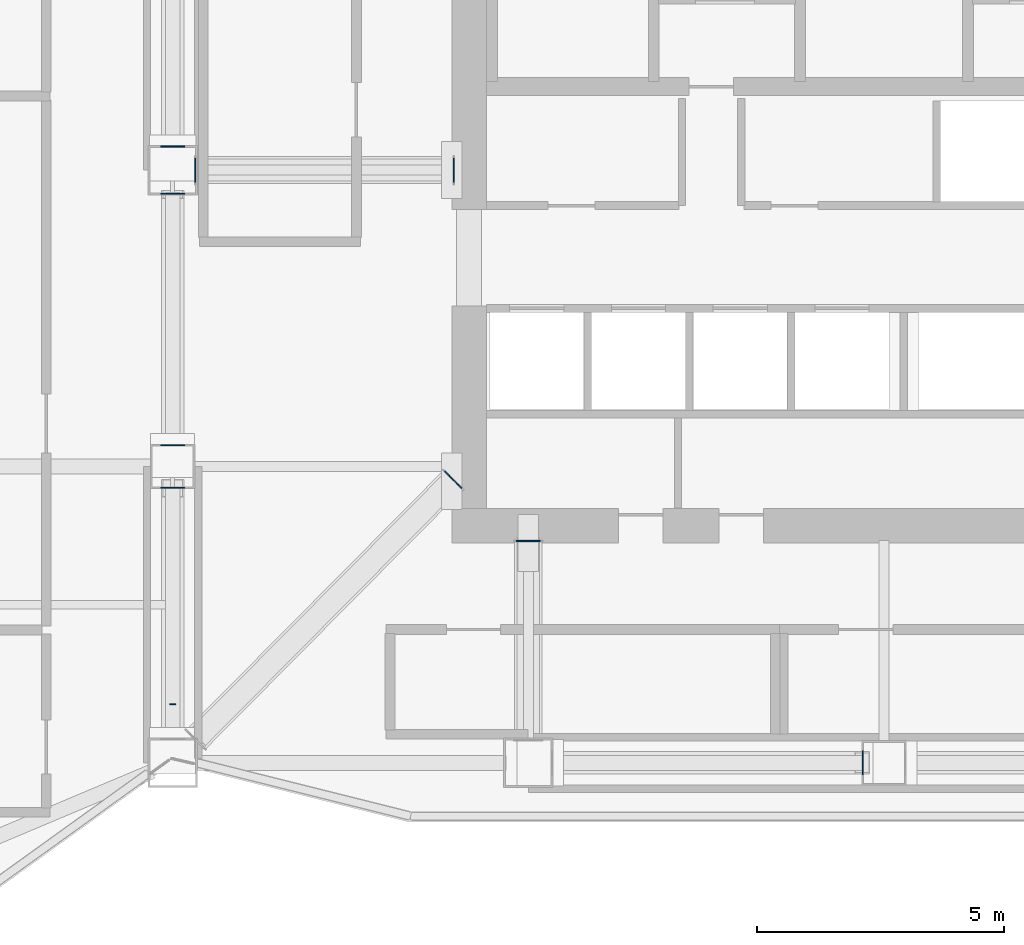
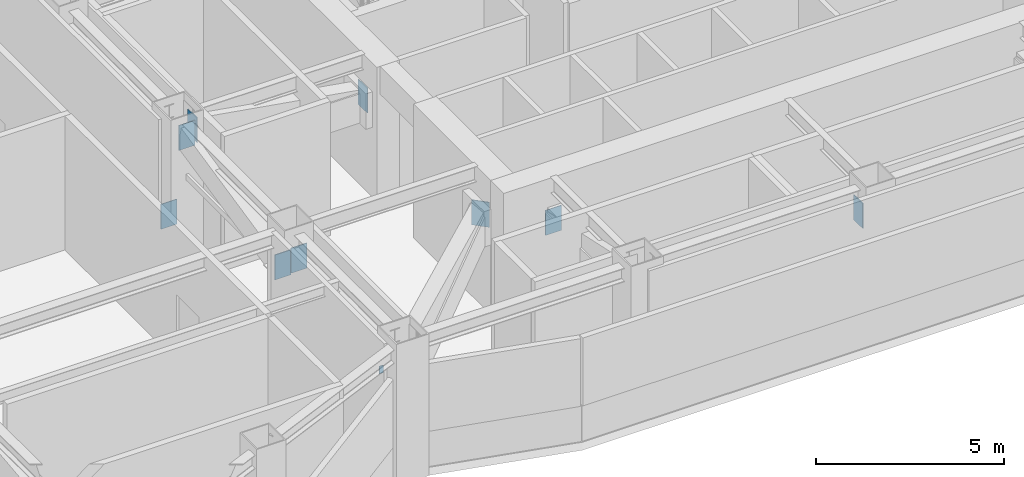
# One storey, part 9 of 24: 10 plates.
"""IFC4 building model written with IfcOpenShell, lengths in metres."""

import ifcopenshell
import ifcopenshell.guid

model = None  # the IFC model being written
_history = None  # IfcOwnerHistory: only IFC2X3 demands one
_inside = {}  # id of a spatial element -> (the spatial element, [elements in it])
_under = {}  # id of a project, library or spatial element -> (it, [spatial elements below it])
_declared = {}  # id of a project -> (the project, [libraries it declares])
_typed = {}  # id of a type object -> (the type object, [elements of that type])
_made_of = {}  # id of a material, layer set ... -> (it, [elements and type objects made of it])


def new_model(schema):
    """Start an empty IFC model of exactly this schema.

    Asked for "IFC4X3", IfcOpenShell would pick the latest addendum, in which some entities
    have other attributes; the version numbers below select the first issue.
    IFC2X3 requires an IfcOwnerHistory on every rooted entity: one is made here for all.
    """
    global model, _history
    if schema == "IFC4X3":
        model = ifcopenshell.file(schema_version=(4, 3, 0, 0))
    else:
        model = ifcopenshell.file(schema=schema)
    _inside.clear()
    _under.clear()
    _declared.clear()
    _typed.clear()
    _made_of.clear()
    _history = None
    if model.schema == "IFC2X3":
        org = make("IfcOrganization", Name="unknown")
        user = make(
            "IfcPersonAndOrganization",
            ThePerson=make("IfcPerson", FamilyName="unknown"),
            TheOrganization=org,
        )
        app = make(
            "IfcApplication",
            ApplicationDeveloper=org,
            Version="unknown",
            ApplicationFullName="unknown",
            ApplicationIdentifier="unknown",
        )
        _history = make(
            "IfcOwnerHistory",
            OwningUser=user,
            OwningApplication=app,
            ChangeAction="ADDED",
            CreationDate=0,
        )
    return model


def make(cls, **values):
    """One entity of the class cls with the attributes given. An attribute that is None is left unset."""
    return model.create_entity(
        cls, **{name: value for name, value in values.items() if value is not None}
    )


def rooted(cls, **values):
    """An entity with a GlobalId (a new one), such as an element, a storey or a relation."""
    return make(cls, GlobalId=ifcopenshell.guid.new(), OwnerHistory=_history, **values)


def si_unit(unit_type, name, prefix=None):
    """IfcSIUnit, for example si_unit("LENGTHUNIT", "METRE", prefix="MILLI")."""
    return make("IfcSIUnit", UnitType=unit_type, Prefix=prefix, Name=name)


def assignment(units):
    """IfcUnitAssignment: the units of a project."""
    return None if units is None else make("IfcUnitAssignment", Units=units)


def point(xyz):
    """IfcCartesianPoint."""
    return None if xyz is None else make("IfcCartesianPoint", Coordinates=xyz)


def direction(xyz):
    """IfcDirection."""
    return None if xyz is None else make("IfcDirection", DirectionRatios=xyz)


def frame(location, z_axis=None, x_axis=None):
    """IfcAxis2Placement3D, a coordinate frame: its origin and axes. An axis left out is left unset."""
    return make(
        "IfcAxis2Placement3D",
        Location=point(location),
        Axis=direction(z_axis),
        RefDirection=direction(x_axis),
    )


def frame_2d(location, x_axis=None):
    """IfcAxis2Placement2D, a coordinate frame in the plane: its origin and x axis."""
    return make(
        "IfcAxis2Placement2D", Location=point(location), RefDirection=direction(x_axis)
    )


def origin():
    """The frame at (0, 0, 0) with its axes left unset."""
    return frame((0.0, 0.0, 0.0))


def origin_2d():
    """The frame at (0, 0) in the plane with its x axis left unset."""
    return frame_2d((0.0, 0.0))


def place(relative_to, where):
    """IfcLocalPlacement: puts the frame where relative to a parent placement (None: the world)."""
    return make(
        "IfcLocalPlacement", PlacementRelTo=relative_to, RelativePlacement=where
    )


def context(
    kind, dimensions, precision=None, world=None, true_north=None, identifier=None
):
    """IfcGeometricRepresentationContext, for example the 3D "Model" context."""
    return make(
        "IfcGeometricRepresentationContext",
        ContextIdentifier=identifier,
        ContextType=kind,
        CoordinateSpaceDimension=dimensions,
        Precision=precision,
        WorldCoordinateSystem=world,
        TrueNorth=true_north,
    )


def subcontext(parent, identifier, kind, view, scale=None):
    """IfcGeometricRepresentationSubContext, for example "Body" below "Model"."""
    return make(
        "IfcGeometricRepresentationSubContext",
        ContextIdentifier=identifier,
        ContextType=kind,
        ParentContext=parent,
        TargetScale=scale,
        TargetView=view,
    )


def project(units=None, contexts=None):
    """IfcProject with its units and contexts."""
    return rooted(
        "IfcProject",
        Name="project",
        RepresentationContexts=contexts,
        UnitsInContext=assignment(units),
    )


def spatial(cls, under=None, at=None, **own):
    """A site, building, storey or space (cls), placed at a placement, below another one or the project."""
    s = rooted(cls, ObjectPlacement=at, **own)
    if under is not None:
        _under.setdefault(under.id(), (under, []))[1].append(s)
    return s


def profile(cls, at=None, kind="AREA", **sizes):
    """A parametric profile (cls). Its sizes go by their IFC names, for example OverallWidth=200.0."""
    return make(cls, ProfileType=kind, Position=at, **sizes)


def rectangle(**sizes):
    """IfcRectangleProfileDef."""
    return profile("IfcRectangleProfileDef", **sizes)


def extrude(swept, where, along, depth):
    """IfcExtrudedAreaSolid: the profile swept, set in the frame where, extruded along a direction by depth."""
    return make(
        "IfcExtrudedAreaSolid",
        SweptArea=swept,
        Position=where,
        ExtrudedDirection=direction(along),
        Depth=depth,
    )


def shape(context_of_items, identifier, shape_type, items):
    """IfcShapeRepresentation: the items that make up one representation, for example the "Body"."""
    return make(
        "IfcShapeRepresentation",
        ContextOfItems=context_of_items,
        RepresentationIdentifier=identifier,
        RepresentationType=shape_type,
        Items=items,
    )


def material(Name=None, Category=None):
    """IfcMaterial."""
    return make("IfcMaterial", Name=Name, Category=Category)


def layer(
    of_material, thickness, ventilated=None, Name=None, Category=None, Priority=None
):
    """IfcMaterialLayer: one layer of a wall or slab, of a material (None: an air gap)."""
    return make(
        "IfcMaterialLayer",
        Material=of_material,
        LayerThickness=thickness,
        IsVentilated=ventilated,
        Name=Name,
        Category=Category,
        Priority=Priority,
    )


def layer_set(layers, Name=None):
    """IfcMaterialLayerSet."""
    return make("IfcMaterialLayerSet", MaterialLayers=layers, LayerSetName=Name)


def made_of(thing, what):
    """Note that an element or type object is made of a material, layer set ...; save() writes the relation."""
    if what is not None:
        _made_of.setdefault(what.id(), (what, []))[1].append(thing)
    return thing


def type_object(cls, material=None, **own):
    """A type object (cls), such as IfcWallType, which elements share."""
    return made_of(rooted(cls, **own), material)


def element(
    cls,
    number,
    at=None,
    inside=None,
    cuts=None,
    type_object=None,
    material=None,
    context=None,
    identifier="Body",
    shape_type=None,
    held_by="IfcProductDefinitionShape",
    body=None,
    shapes=None,
    **own,
):
    """One element of the class cls, such as IfcWall. Its Tag is "e" and its number.

    at: its placement. inside: the storey or other place that contains it. cuts: it is an
    opening in that element (IfcRelVoidsElement). A single representation is given by context,
    identifier, shape_type and body (its items); several are given by shapes. held_by: the class
    of the entity that holds the representations. save() writes the other relations.
    """
    e = rooted(cls, Tag="e%d" % number, ObjectPlacement=at, **own)
    if body is not None:
        shapes = [shape(context, identifier, shape_type, body)]
    if shapes is not None:
        e.Representation = make(held_by, Representations=shapes)
    if inside is not None:
        _inside.setdefault(inside.id(), (inside, []))[1].append(e)
    if cuts is not None:
        rooted(
            "IfcRelVoidsElement", RelatingBuildingElement=cuts, RelatedOpeningElement=e
        )
    if type_object is not None:
        _typed.setdefault(type_object.id(), (type_object, []))[1].append(e)
    return made_of(e, material)


def aggregate(whole, parts):
    """IfcRelAggregates: a whole, such as a stair, and the parts it consists of."""
    return rooted("IfcRelAggregates", RelatingObject=whole, RelatedObjects=parts)


def save(model, path):
    """Write the relations noted so far, then the file.

    IfcRelAggregates (storeys below a building ...), IfcRelContainedInSpatialStructure (elements
    in a storey), IfcRelDefinesByType, IfcRelAssociatesMaterial and IfcRelDeclares: one each for
    every whole, place, type object, material and project.
    """
    for whole, parts in _under.values():
        aggregate(whole, parts)
    for where, things in _inside.values():
        rooted(
            "IfcRelContainedInSpatialStructure",
            RelatedElements=things,
            RelatingStructure=where,
        )
    for kind, things in _typed.values():
        rooted("IfcRelDefinesByType", RelatedObjects=things, RelatingType=kind)
    for what, things in _made_of.values():
        rooted("IfcRelAssociatesMaterial", RelatedObjects=things, RelatingMaterial=what)
    for by, libraries in _declared.values():
        rooted("IfcRelDeclares", RelatingContext=by, RelatedDefinitions=libraries)
    model.write(path)


model = new_model("IFC4")

# Units and contexts
model_context = context("Model", 3, precision=1e-05, world=origin(), true_north=direction((0.0, 1.0)))
body_context = subcontext(model_context, "Body", "Model", "MODEL_VIEW")
ifc_project = project(units=[si_unit("LENGTHUNIT", "METRE"), si_unit("AREAUNIT", "SQUARE_METRE"), si_unit("VOLUMEUNIT", "CUBIC_METRE"), si_unit("PLANEANGLEUNIT", "RADIAN"), si_unit("MASSUNIT", "GRAM", prefix="KILO")], contexts=[model_context])

# Site, building, storey
site_placement = place(None, origin())
site = spatial("IfcSite", under=ifc_project, at=site_placement, CompositionType="ELEMENT")
building_placement = place(site_placement, origin())
building = spatial("IfcBuilding", under=site, at=building_placement, Name="Haolan Belvedere Tower", CompositionType="ELEMENT")
storey_placement = place(building_placement, frame((0.0, 0.0, 160.0)))
storey = spatial("IfcBuildingStorey", under=building, at=storey_placement, Name="L40", CompositionType="ELEMENT", Elevation=160.0)

# Plates
ifc_material = material(Name="Steel Q355B", Category="steel")
ifc_layer = layer(ifc_material, 0.02490234375, Name="Steel Q355B")
ifc_layer_set = layer_set([ifc_layer], Name="Steel Q355B")
plate_type = type_object("IfcPlateType", Name="PL-CAP-25", PredefinedType="SHEET", material=ifc_layer_set)
for number, where, z_axis, x_axis, name in (
    (1, (29.6923828125, 33.60009765625, 2.512939453125), (0.0, 0.0, 1.0), (0.0, 1.0, 0.0), "Hollow steel end-cap plate OR-W1-L40-DG-CAP0"),
    (2, (24.457763671875, 33.60009765625, 3.386962890625), (0.0, 0.0, 1.0), (0.0, -1.0, 0.0), "Hollow steel end-cap plate OR-W1-L40-DG-CAP1"),
    (3, (29.679931640625, 27.330078125, 2.513427734375), (0.0, 0.0, 1.0), (-0.71020994994, 0.703989933881, 0.0), "Hollow steel end-cap plate OR-W2-L40-DG-CAP0"),
    (4, (31.199951171875, 26.09228515625, 2.51220703125), (0.0, 0.0, 1.0), (-1.0, 0.0, 0.0), "Hollow steel end-cap plate OR-S1-L40-DG-CAP0"),
    (5, (24.0, 27.1708984375, 3.15087890625), (0.0, 0.0, 1.0), (-1.0, 0.0, 0.0), "Hollow steel end-cap plate BT-W1-L40-CAP1"),
    (6, (24.0, 28.02783203125, 2.412353515625), (0.0, 0.0, 1.0), (1.0, 0.0, 0.0), "Hollow steel end-cap plate BT-W2-L40-CAP0"),
    (7, (24.0, 33.122314453125, 3.527587890625), (0.0, 0.0, 1.0), (-1.0, 0.0, 0.0), "Hollow steel end-cap plate BT-W2-L40-CAP1"),
    (8, (24.0, 34.0791015625, 0.388916015625), (0.0, 0.0, 1.0), (1.0, 0.0, 0.0), "Hollow steel end-cap plate BT-W3-L40-CAP0"),
    (9, (37.971435546875, 21.60009765625, 3.14990234375), (0.0, 0.0, 1.0), (0.0, 1.0, 0.0), "Hollow steel end-cap plate BT-S1-L40-CAP1"),
):
    element("IfcPlate", number, at=place(storey_placement, frame(where, z_axis=z_axis, x_axis=x_axis)), inside=storey, type_object=plate_type, Name=name, PredefinedType="SHEET", context=body_context, shape_type="SweptSolid", body=[
        extrude(rectangle(XDim=0.489990234375, YDim=0.02490234375, at=origin_2d()), origin(), (0.0, 0.0, 1.0), 0.81005859375),
    ])
plate_placement = place(storey_placement, frame((24.0, 22.78759765625, 2.47998046875), z_axis=(0.0, 0.0, 1.0), x_axis=(1.0, 0.0, 0.0)))
element("IfcPlate", 10, at=plate_placement, inside=storey, type_object=plate_type, Name="Hollow steel end-cap plate GIRT-L40-GW-CAP0", PredefinedType="SHEET", context=body_context, shape_type="SweptSolid", body=[
    extrude(rectangle(XDim=0.1201171875, YDim=0.02490234375, at=origin_2d()), origin(), (0.0, 0.0, 1.0), 0.239990234375),
])

save(model, "model.ifc")
